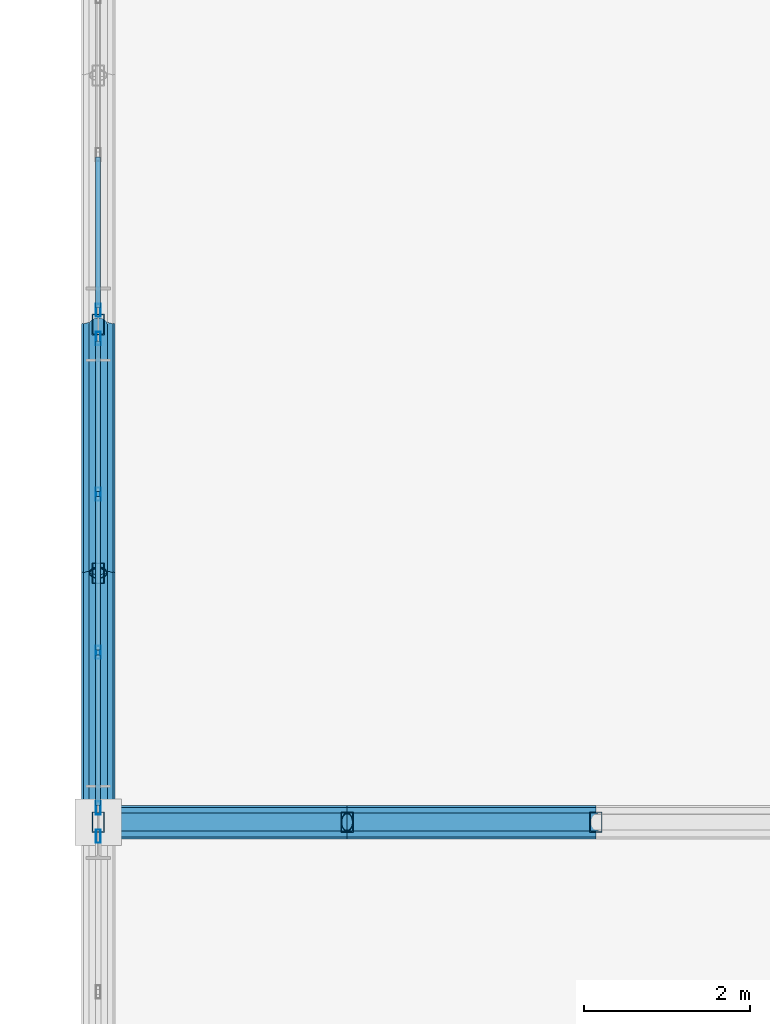
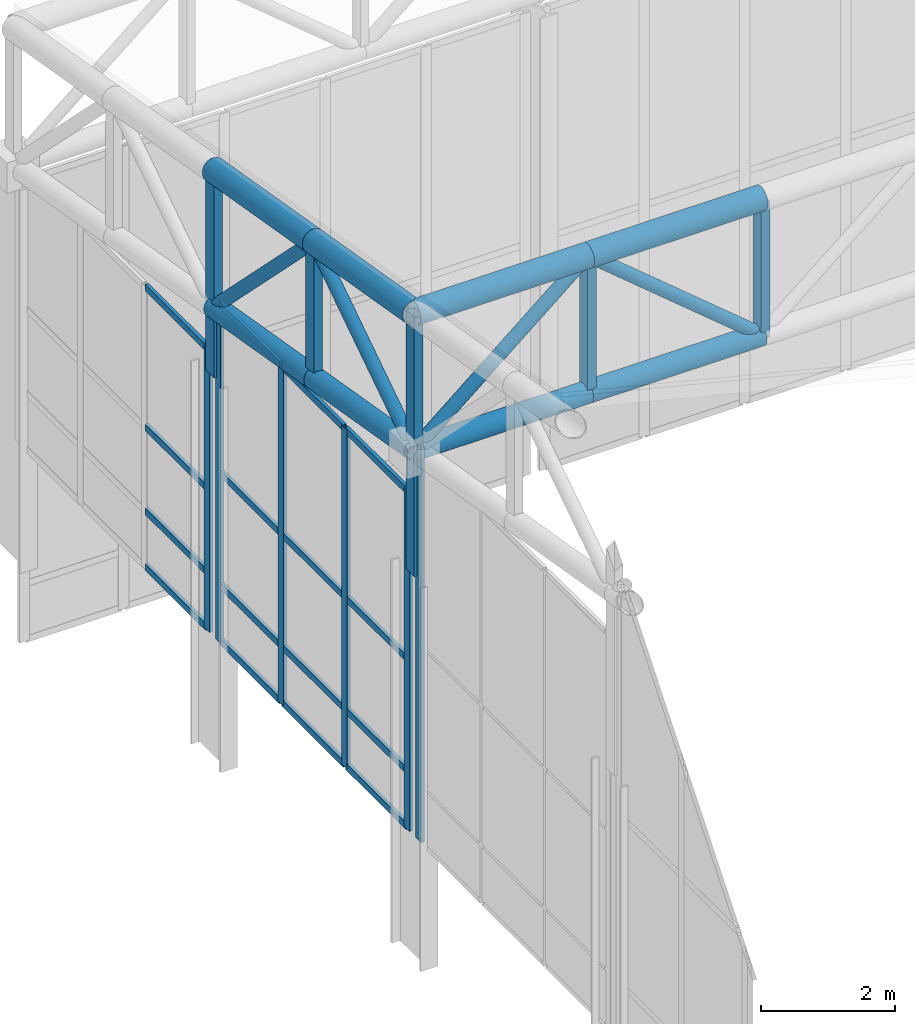
# One storey, part 100 of 239: 39 members, 3 elements without a shape of their own.
"""IFC4 building model written with IfcOpenShell, lengths in metres."""

from ifc_helpers import new_model, si_unit, direction, frame, origin, origin_2d, place, context, subcontext, project, spatial, hollow_rectangle, hollow_circle, extrude, material, material_profile, profile_set, type_object, element, aggregate, save


model = new_model("IFC4")

# Units and contexts
model_context = context("Model", 3, precision=1e-05, world=origin(), true_north=direction((0.0, 1.0)))
body_context = subcontext(model_context, "Body", "Model", "MODEL_VIEW")
ifc_project = project(units=[si_unit("LENGTHUNIT", "METRE"), si_unit("AREAUNIT", "SQUARE_METRE"), si_unit("VOLUMEUNIT", "CUBIC_METRE"), si_unit("PLANEANGLEUNIT", "RADIAN"), si_unit("MASSUNIT", "GRAM", prefix="KILO")], contexts=[model_context])

# Site, building, storey
site_placement = place(None, origin())
site = spatial("IfcSite", under=ifc_project, at=site_placement, CompositionType="ELEMENT")
building_placement = place(site_placement, origin())
building = spatial("IfcBuilding", under=site, at=building_placement, Name="Kaldris Quays Convention Centre", CompositionType="ELEMENT")
storey_placement = place(building_placement, frame((0.0, 0.0, 11.39990234375)))
storey = spatial("IfcBuildingStorey", under=building, at=storey_placement, Name="L02", CompositionType="ELEMENT", Elevation=11.39990234375)

# Curtain wall, member
ifc_material_1 = material(Name="Anodized aluminium AW-6060 and triple glazing", Category="aluminium")
curtain_wall_type = type_object("IfcCurtainWallType", Name="UNITISED CURTAIN WALL CW03", PredefinedType="NOTDEFINED", material=ifc_material_1)
curtain_wall_1_placement = place(storey_placement, origin())
curtain_wall_1 = element("IfcCurtainWall", 1, at=curtain_wall_1_placement, inside=storey, type_object=curtain_wall_type, Name="L02 Unitised Curtain Wall CW03 224", PredefinedType="NOTDEFINED")
ifc_material_2 = material(Name="Anodized aluminium AW-6060", Category="aluminium")
ifc_material_profile_1 = material_profile(ifc_material_2, hollow_rectangle(XDim=0.06005859375, YDim=0.159912109375, WallThickness=0.00390625, at=origin_2d()), Name="RHS 160x60x4")
ifc_profile_set_1 = profile_set([ifc_material_profile_1], Name="Anodized aluminium AW-6060")
member_type_1 = type_object("IfcMemberType", Name="CURTAIN MULLION CWM1", PredefinedType="MULLION", material=ifc_profile_set_1)
member_1_placement = place(storey_placement, frame((20.0, 127.830078125, 2.195068359375), z_axis=(0.0, 0.0, 1.0), x_axis=(-1.0, 0.0, 0.0)))
member_1 = element("IfcMember", 2, at=member_1_placement, type_object=member_type_1, Name="CW03 mullion 4", PredefinedType="MULLION", context=body_context, shape_type="SweptSolid", body=[
    extrude(hollow_rectangle(XDim=0.06005859375, YDim=0.159912109375, WallThickness=0.00390625, at=origin_2d()), origin(), (0.0, 0.0, 1.0), 7.22607421875),
])
aggregate(curtain_wall_1, [member_1])

# Curtain wall, members
curtain_wall_2_placement = place(storey_placement, origin())
curtain_wall_2 = element("IfcCurtainWall", 3, at=curtain_wall_2_placement, inside=storey, type_object=curtain_wall_type, Name="L02 Unitised Curtain Wall CW03 225", PredefinedType="NOTDEFINED")
member_2_placement = place(storey_placement, frame((20.0, 128.169921875, 2.195068359375), z_axis=(0.0, 0.0, 1.0), x_axis=(-1.0, 0.0, 0.0)))
member_2 = element("IfcMember", 4, at=member_2_placement, type_object=member_type_1, Name="CW03 mullion 1", PredefinedType="MULLION", context=body_context, shape_type="SweptSolid", body=[
    extrude(hollow_rectangle(XDim=0.06005859375, YDim=0.159912109375, WallThickness=0.00390625, at=origin_2d()), origin(), (0.0, 0.0, 1.0), 6.197998046875),
])
member_3_placement = place(storey_placement, frame((20.0, 130.046630859375, 2.195068359375), z_axis=(0.0, 0.0, 1.0), x_axis=(-1.0, 0.0, 0.0)))
member_3 = element("IfcMember", 5, at=member_3_placement, type_object=member_type_1, Name="CW03 mullion 2", PredefinedType="MULLION", context=body_context, shape_type="SweptSolid", body=[
    extrude(hollow_rectangle(XDim=0.06005859375, YDim=0.159912109375, WallThickness=0.00390625, at=origin_2d()), origin(), (0.0, 0.0, 1.0), 6.197998046875),
])
member_4_placement = place(storey_placement, frame((20.0, 131.953369140625, 2.195068359375), z_axis=(0.0, 0.0, 1.0), x_axis=(-1.0, 0.0, 0.0)))
member_4 = element("IfcMember", 6, at=member_4_placement, type_object=member_type_1, Name="CW03 mullion 3", PredefinedType="MULLION", context=body_context, shape_type="SweptSolid", body=[
    extrude(hollow_rectangle(XDim=0.06005859375, YDim=0.159912109375, WallThickness=0.00390625, at=origin_2d()), origin(), (0.0, 0.0, 1.0), 6.197998046875),
])
member_5_placement = place(storey_placement, frame((20.0, 133.830078125, 2.195068359375), z_axis=(0.0, 0.0, 1.0), x_axis=(-1.0, 0.0, 0.0)))
member_5 = element("IfcMember", 7, at=member_5_placement, type_object=member_type_1, Name="CW03 mullion 4", PredefinedType="MULLION", context=body_context, shape_type="SweptSolid", body=[
    extrude(hollow_rectangle(XDim=0.06005859375, YDim=0.159912109375, WallThickness=0.00390625, at=origin_2d()), origin(), (0.0, 0.0, 1.0), 6.197998046875),
])

# Curtain wall, member
curtain_wall_3_placement = place(storey_placement, origin())
curtain_wall_3 = element("IfcCurtainWall", 8, at=curtain_wall_3_placement, inside=storey, type_object=curtain_wall_type, Name="L02 Unitised Curtain Wall CW03 226", PredefinedType="NOTDEFINED")
member_6_placement = place(storey_placement, frame((20.0, 134.169921875, 2.195068359375), z_axis=(0.0, 0.0, 1.0), x_axis=(-1.0, 0.0, 0.0)))
member_6 = element("IfcMember", 9, at=member_6_placement, type_object=member_type_1, Name="CW03 mullion 1", PredefinedType="MULLION", context=body_context, shape_type="SweptSolid", body=[
    extrude(hollow_rectangle(XDim=0.06005859375, YDim=0.159912109375, WallThickness=0.00390625, at=origin_2d()), origin(), (0.0, 0.0, 1.0), 5.1689453125),
])

# Member
ifc_material_profile_2 = material_profile(ifc_material_2, hollow_rectangle(XDim=0.06005859375, YDim=0.1201171875, WallThickness=0.00390625, at=origin_2d()), Name="RHS 120x60x4")
ifc_profile_set_2 = profile_set([ifc_material_profile_2], Name="Anodized aluminium AW-6060")
member_type_2 = type_object("IfcMemberType", Name="CURTAIN TRANSOM CWT1", PredefinedType="USERDEFINED", material=ifc_profile_set_2)
member_7_placement = place(storey_placement, frame((20.0, 128.199951171875, 2.22509765625), z_axis=(0.0, 1.0, 0.0), x_axis=(-1.0, 0.0, 0.0)))
member_7 = element("IfcMember", 10, at=member_7_placement, type_object=member_type_2, Name="CW03 transom 1.1", ObjectType="TRANSOM", PredefinedType="USERDEFINED", context=body_context, shape_type="SweptSolid", body=[
    extrude(hollow_rectangle(XDim=0.06005859375, YDim=0.1201171875, WallThickness=0.00390625, at=origin_2d()), origin(), (0.0, 0.0, 1.0), 1.816650390625),
])

member_8_placement = place(storey_placement, frame((20.0, 128.199951171875, 3.2451171875), z_axis=(0.0, 1.0, 0.0), x_axis=(-1.0, 0.0, 0.0)))
member_8 = element("IfcMember", 11, at=member_8_placement, type_object=member_type_2, Name="CW03 transom 1.2", ObjectType="TRANSOM", PredefinedType="USERDEFINED", context=body_context, shape_type="SweptSolid", body=[
    extrude(hollow_rectangle(XDim=0.06005859375, YDim=0.1201171875, WallThickness=0.00390625, at=origin_2d()), origin(), (0.0, 0.0, 1.0), 1.816650390625),
])

member_9_placement = place(storey_placement, frame((20.0, 128.199951171875, 5.294189453125), z_axis=(0.0, 1.0, 0.0), x_axis=(-1.0, 0.0, 0.0)))
member_9 = element("IfcMember", 12, at=member_9_placement, type_object=member_type_2, Name="CW03 transom 1.3", ObjectType="TRANSOM", PredefinedType="USERDEFINED", context=body_context, shape_type="SweptSolid", body=[
    extrude(hollow_rectangle(XDim=0.06005859375, YDim=0.1201171875, WallThickness=0.00390625, at=origin_2d()), origin(), (0.0, 0.0, 1.0), 1.816650390625),
])

member_10_placement = place(storey_placement, frame((20.0, 128.199951171875, 8.363037109375), z_axis=(0.0, 1.0, 0.0), x_axis=(-1.0, 0.0, 0.0)))
member_10 = element("IfcMember", 13, at=member_10_placement, type_object=member_type_2, Name="CW03 transom 1.4", ObjectType="TRANSOM", PredefinedType="USERDEFINED", context=body_context, shape_type="SweptSolid", body=[
    extrude(hollow_rectangle(XDim=0.06005859375, YDim=0.1201171875, WallThickness=0.00390625, at=origin_2d()), origin(), (0.0, 0.0, 1.0), 1.816650390625),
])

member_11_placement = place(storey_placement, frame((20.0, 130.07666015625, 2.22509765625), z_axis=(0.0, 1.0, 0.0), x_axis=(-1.0, 0.0, 0.0)))
member_11 = element("IfcMember", 14, at=member_11_placement, type_object=member_type_2, Name="CW03 transom 2.1", ObjectType="TRANSOM", PredefinedType="USERDEFINED", context=body_context, shape_type="SweptSolid", body=[
    extrude(hollow_rectangle(XDim=0.06005859375, YDim=0.1201171875, WallThickness=0.00390625, at=origin_2d()), origin(), (0.0, 0.0, 1.0), 1.8466796875),
])

member_12_placement = place(storey_placement, frame((20.0, 130.07666015625, 3.2451171875), z_axis=(0.0, 1.0, 0.0), x_axis=(-1.0, 0.0, 0.0)))
member_12 = element("IfcMember", 15, at=member_12_placement, type_object=member_type_2, Name="CW03 transom 2.2", ObjectType="TRANSOM", PredefinedType="USERDEFINED", context=body_context, shape_type="SweptSolid", body=[
    extrude(hollow_rectangle(XDim=0.06005859375, YDim=0.1201171875, WallThickness=0.00390625, at=origin_2d()), origin(), (0.0, 0.0, 1.0), 1.8466796875),
])

member_13_placement = place(storey_placement, frame((20.0, 130.07666015625, 5.294189453125), z_axis=(0.0, 1.0, 0.0), x_axis=(-1.0, 0.0, 0.0)))
member_13 = element("IfcMember", 16, at=member_13_placement, type_object=member_type_2, Name="CW03 transom 2.3", ObjectType="TRANSOM", PredefinedType="USERDEFINED", context=body_context, shape_type="SweptSolid", body=[
    extrude(hollow_rectangle(XDim=0.06005859375, YDim=0.1201171875, WallThickness=0.00390625, at=origin_2d()), origin(), (0.0, 0.0, 1.0), 1.8466796875),
])

member_14_placement = place(storey_placement, frame((20.0, 130.07666015625, 8.363037109375), z_axis=(0.0, 1.0, 0.0), x_axis=(-1.0, 0.0, 0.0)))
member_14 = element("IfcMember", 17, at=member_14_placement, type_object=member_type_2, Name="CW03 transom 2.4", ObjectType="TRANSOM", PredefinedType="USERDEFINED", context=body_context, shape_type="SweptSolid", body=[
    extrude(hollow_rectangle(XDim=0.06005859375, YDim=0.1201171875, WallThickness=0.00390625, at=origin_2d()), origin(), (0.0, 0.0, 1.0), 1.8466796875),
])

member_15_placement = place(storey_placement, frame((20.0, 131.9833984375, 2.22509765625), z_axis=(0.0, 1.0, 0.0), x_axis=(-1.0, 0.0, 0.0)))
member_15 = element("IfcMember", 18, at=member_15_placement, type_object=member_type_2, Name="CW03 transom 3.1", ObjectType="TRANSOM", PredefinedType="USERDEFINED", context=body_context, shape_type="SweptSolid", body=[
    extrude(hollow_rectangle(XDim=0.06005859375, YDim=0.1201171875, WallThickness=0.00390625, at=origin_2d()), origin(), (0.0, 0.0, 1.0), 1.816650390625),
])

member_16_placement = place(storey_placement, frame((20.0, 131.9833984375, 3.2451171875), z_axis=(0.0, 1.0, 0.0), x_axis=(-1.0, 0.0, 0.0)))
member_16 = element("IfcMember", 19, at=member_16_placement, type_object=member_type_2, Name="CW03 transom 3.2", ObjectType="TRANSOM", PredefinedType="USERDEFINED", context=body_context, shape_type="SweptSolid", body=[
    extrude(hollow_rectangle(XDim=0.06005859375, YDim=0.1201171875, WallThickness=0.00390625, at=origin_2d()), origin(), (0.0, 0.0, 1.0), 1.816650390625),
])

member_17_placement = place(storey_placement, frame((20.0, 131.9833984375, 5.294189453125), z_axis=(0.0, 1.0, 0.0), x_axis=(-1.0, 0.0, 0.0)))
member_17 = element("IfcMember", 20, at=member_17_placement, type_object=member_type_2, Name="CW03 transom 3.3", ObjectType="TRANSOM", PredefinedType="USERDEFINED", context=body_context, shape_type="SweptSolid", body=[
    extrude(hollow_rectangle(XDim=0.06005859375, YDim=0.1201171875, WallThickness=0.00390625, at=origin_2d()), origin(), (0.0, 0.0, 1.0), 1.816650390625),
])

member_18_placement = place(storey_placement, frame((20.0, 131.9833984375, 8.363037109375), z_axis=(0.0, 1.0, 0.0), x_axis=(-1.0, 0.0, 0.0)))
member_18 = element("IfcMember", 21, at=member_18_placement, type_object=member_type_2, Name="CW03 transom 3.4", ObjectType="TRANSOM", PredefinedType="USERDEFINED", context=body_context, shape_type="SweptSolid", body=[
    extrude(hollow_rectangle(XDim=0.06005859375, YDim=0.1201171875, WallThickness=0.00390625, at=origin_2d()), origin(), (0.0, 0.0, 1.0), 1.816650390625),
])

aggregate(curtain_wall_2, [member_2, member_3, member_4, member_5, member_7, member_8, member_9, member_10, member_11, member_12, member_13, member_14, member_15, member_16, member_17, member_18])

member_19_placement = place(storey_placement, frame((20.0, 134.199951171875, 2.22509765625), z_axis=(0.0, 1.0, 0.0), x_axis=(-1.0, 0.0, 0.0)))
member_19 = element("IfcMember", 22, at=member_19_placement, type_object=member_type_2, Name="CW03 transom 1.1", ObjectType="TRANSOM", PredefinedType="USERDEFINED", context=body_context, shape_type="SweptSolid", body=[
    extrude(hollow_rectangle(XDim=0.06005859375, YDim=0.1201171875, WallThickness=0.00390625, at=origin_2d()), origin(), (0.0, 0.0, 1.0), 1.816650390625),
])

member_20_placement = place(storey_placement, frame((20.0, 134.199951171875, 3.2451171875), z_axis=(0.0, 1.0, 0.0), x_axis=(-1.0, 0.0, 0.0)))
member_20 = element("IfcMember", 23, at=member_20_placement, type_object=member_type_2, Name="CW03 transom 1.2", ObjectType="TRANSOM", PredefinedType="USERDEFINED", context=body_context, shape_type="SweptSolid", body=[
    extrude(hollow_rectangle(XDim=0.06005859375, YDim=0.1201171875, WallThickness=0.00390625, at=origin_2d()), origin(), (0.0, 0.0, 1.0), 1.816650390625),
])

member_21_placement = place(storey_placement, frame((20.0, 134.199951171875, 4.780029296875), z_axis=(0.0, 1.0, 0.0), x_axis=(-1.0, 0.0, 0.0)))
member_21 = element("IfcMember", 24, at=member_21_placement, type_object=member_type_2, Name="CW03 transom 1.3", ObjectType="TRANSOM", PredefinedType="USERDEFINED", context=body_context, shape_type="SweptSolid", body=[
    extrude(hollow_rectangle(XDim=0.06005859375, YDim=0.1201171875, WallThickness=0.00390625, at=origin_2d()), origin(), (0.0, 0.0, 1.0), 1.816650390625),
])

member_22_placement = place(storey_placement, frame((20.0, 134.199951171875, 7.333984375), z_axis=(0.0, 1.0, 0.0), x_axis=(-1.0, 0.0, 0.0)))
member_22 = element("IfcMember", 25, at=member_22_placement, type_object=member_type_2, Name="CW03 transom 1.4", ObjectType="TRANSOM", PredefinedType="USERDEFINED", context=body_context, shape_type="SweptSolid", body=[
    extrude(hollow_rectangle(XDim=0.06005859375, YDim=0.1201171875, WallThickness=0.00390625, at=origin_2d()), origin(), (0.0, 0.0, 1.0), 1.816650390625),
])

aggregate(curtain_wall_3, [member_6, member_19, member_20, member_21, member_22])

# Members
ifc_material_3 = material(Name="Steel S355J2H", Category="steel")
ifc_material_profile_3 = material_profile(ifc_material_3, hollow_circle(Radius=0.203125, WallThickness=0.01611328125, at=origin_2d()), Name="CHS 406.4x16")
ifc_profile_set_3 = profile_set([ifc_material_profile_3], Name="Steel S355J2H")
member_type_3 = type_object("IfcMemberType", Name="STRUCTURAL MEMBER SC01", PredefinedType="CHORD", material=ifc_profile_set_3)
for number, where, z_axis, x_axis, name in (
    (26, (20.0, 128.0, 11.72900390625), (1.0, 0.0, 0.0), (0.0, 1.0, 0.0), "SF-V1 Top Chord X 253"),
    (27, (23.0, 128.0, 11.72900390625), (1.0, 0.0, 0.0), (0.0, 1.0, 0.0), "SF-V1 Top Chord X 254"),
):
    element("IfcMember", number, at=place(storey_placement, frame(where, z_axis=z_axis, x_axis=x_axis)), inside=storey, type_object=member_type_3, Name=name, PredefinedType="CHORD", context=body_context, shape_type="SweptSolid", body=[
        extrude(hollow_circle(Radius=0.203125, WallThickness=0.01611328125, at=origin_2d()), origin(), (0.0, 0.0, 1.0), 3.0),
    ])
for number, where, z_axis, x_axis, name in (
    (28, (20.0, 128.0, 11.72900390625), (0.0, 0.98562912375, -0.168923741424), (-1.0, 0.0, 0.0), "SF-V1 Top Chord Y 361"),
    (29, (20.0, 131.0, 11.21484375), (0.0, 0.985615766076, -0.169001661712), (-1.0, 0.0, 0.0), "SF-V1 Top Chord Y 362"),
):
    element("IfcMember", number, at=place(storey_placement, frame(where, z_axis=z_axis, x_axis=x_axis)), inside=storey, type_object=member_type_3, Name=name, PredefinedType="CHORD", context=body_context, shape_type="SweptSolid", body=[
        extrude(hollow_circle(Radius=0.203125, WallThickness=0.01611328125, at=origin_2d()), origin(), (0.0, 0.0, 1.0), 3.043701171875),
    ])
ifc_material_profile_4 = material_profile(ifc_material_3, hollow_circle(Radius=0.177734375, WallThickness=0.01611328125, at=origin_2d()), Name="CHS 355.6x16")
ifc_profile_set_4 = profile_set([ifc_material_profile_4], Name="Steel S355J2H")
member_type_4 = type_object("IfcMemberType", Name="STRUCTURAL MEMBER SC02", PredefinedType="CHORD", material=ifc_profile_set_4)
for number, where, z_axis, x_axis, name in (
    (30, (20.0, 128.0, 9.22900390625), (1.0, 0.0, 0.0), (0.0, 1.0, 0.0), "SF-V1 Bottom Chord X 253"),
    (31, (23.0, 128.0, 9.22900390625), (1.0, 0.0, 0.0), (0.0, 1.0, 0.0), "SF-V1 Bottom Chord X 254"),
):
    element("IfcMember", number, at=place(storey_placement, frame(where, z_axis=z_axis, x_axis=x_axis)), inside=storey, type_object=member_type_4, Name=name, PredefinedType="CHORD", context=body_context, shape_type="SweptSolid", body=[
        extrude(hollow_circle(Radius=0.177734375, WallThickness=0.01611328125, at=origin_2d()), origin(), (0.0, 0.0, 1.0), 3.0),
    ])
for number, where, z_axis, x_axis, name in (
    (32, (20.0, 128.0, 9.22900390625), (0.0, 0.98562912375, -0.168923741424), (-1.0, 0.0, 0.0), "SF-V1 Bottom Chord Y 361"),
    (33, (20.0, 131.0, 8.71484375), (0.0, 0.985615766076, -0.169001661712), (-1.0, 0.0, 0.0), "SF-V1 Bottom Chord Y 362"),
):
    element("IfcMember", number, at=place(storey_placement, frame(where, z_axis=z_axis, x_axis=x_axis)), inside=storey, type_object=member_type_4, Name=name, PredefinedType="CHORD", context=body_context, shape_type="SweptSolid", body=[
        extrude(hollow_circle(Radius=0.177734375, WallThickness=0.01611328125, at=origin_2d()), origin(), (0.0, 0.0, 1.0), 3.043701171875),
    ])
ifc_material_profile_5 = material_profile(ifc_material_3, hollow_circle(Radius=0.109619140625, WallThickness=0.010009765625, at=origin_2d()), Name="CHS 219.1x10")
ifc_profile_set_5 = profile_set([ifc_material_profile_5], Name="Steel S355J2H")
member_type_5 = type_object("IfcMemberType", Name="STRUCTURAL MEMBER SWB1", PredefinedType="BRACE", material=ifc_profile_set_5)
for number, where, z_axis, x_axis, name in (
    (34, (20.0, 128.0, 9.22900390625), (0.768221279597, 0.0, 0.640184399664), (0.0, 1.0, 0.0), "SF-V1 Web Diagonal X 253"),
    (35, (26.0, 128.0, 9.22900390625), (-0.768221279597, 0.0, 0.640184399664), (0.0, -1.0, 0.0), "SF-V1 Web Diagonal X 254"),
):
    element("IfcMember", number, at=place(storey_placement, frame(where, z_axis=z_axis, x_axis=x_axis)), inside=storey, type_object=member_type_5, Name=name, PredefinedType="BRACE", context=body_context, shape_type="SweptSolid", body=[
        extrude(hollow_circle(Radius=0.109619140625, WallThickness=0.010009765625, at=origin_2d()), origin(), (0.0, 0.0, 1.0), 3.905029296875),
    ])
member_23_placement = place(storey_placement, frame((20.0, 128.0, 9.22900390625), z_axis=(0.0, 0.833862389808, 0.551972385962), x_axis=(-1.0, 0.0, 0.0)))
element("IfcMember", 36, at=member_23_placement, inside=storey, type_object=member_type_5, Name="SF-V1 Web Diagonal Y 361", PredefinedType="BRACE", context=body_context, shape_type="SweptSolid", body=[
    extrude(hollow_circle(Radius=0.109619140625, WallThickness=0.010009765625, at=origin_2d()), origin(), (0.0, 0.0, 1.0), 3.59765625),
])
member_24_placement = place(storey_placement, frame((20.0, 134.0, 8.200439453125), z_axis=(0.0, -0.705411261057, 0.708798245465), x_axis=(1.0, 0.0, 0.0)))
element("IfcMember", 37, at=member_24_placement, inside=storey, type_object=member_type_5, Name="SF-V1 Web Diagonal Y 362", PredefinedType="BRACE", context=body_context, shape_type="SweptSolid", body=[
    extrude(hollow_circle(Radius=0.109619140625, WallThickness=0.010009765625, at=origin_2d()), origin(), (0.0, 0.0, 1.0), 4.2529296875),
])
ifc_material_profile_6 = material_profile(ifc_material_3, hollow_rectangle(XDim=0.14990234375, YDim=0.25, WallThickness=0.010009765625, at=origin_2d()), Name="RHS 250x150x10")
ifc_profile_set_6 = profile_set([ifc_material_profile_6], Name="Steel S355J2H")
member_type_6 = type_object("IfcMemberType", Name="STRUCTURAL MEMBER TTV1", PredefinedType="POST", material=ifc_profile_set_6)
member_25_placement = place(storey_placement, frame((20.0, 128.0, 6.994140625), z_axis=(0.0, 0.0, 1.0), x_axis=(1.0, 0.0, 0.0)))
element("IfcMember", 38, at=member_25_placement, inside=storey, type_object=member_type_6, Name="SF-V1 Space-Frame Post 25", PredefinedType="POST", context=body_context, shape_type="SweptSolid", body=[
    extrude(hollow_rectangle(XDim=0.14990234375, YDim=0.25, WallThickness=0.010009765625, at=origin_2d()), origin(), (0.0, 0.0, 1.0), 4.73486328125),
])
member_26_placement = place(storey_placement, frame((20.0, 131.0, 8.71484375), z_axis=(0.0, 0.0, 1.0), x_axis=(1.0, 0.0, 0.0)))
element("IfcMember", 39, at=member_26_placement, inside=storey, type_object=member_type_6, Name="SF-V1 Space-Frame Post 26", PredefinedType="POST", context=body_context, shape_type="SweptSolid", body=[
    extrude(hollow_rectangle(XDim=0.14990234375, YDim=0.25, WallThickness=0.010009765625, at=origin_2d()), origin(), (0.0, 0.0, 1.0), 2.5),
])
member_27_placement = place(storey_placement, frame((20.0, 134.0, 6.994140625), z_axis=(0.0, 0.0, 1.0), x_axis=(1.0, 0.0, 0.0)))
element("IfcMember", 40, at=member_27_placement, inside=storey, type_object=member_type_6, Name="SF-V1 Space-Frame Post 27", PredefinedType="POST", context=body_context, shape_type="SweptSolid", body=[
    extrude(hollow_rectangle(XDim=0.14990234375, YDim=0.25, WallThickness=0.010009765625, at=origin_2d()), origin(), (0.0, 0.0, 1.0), 3.706298828125),
])
for number, where, z_axis, x_axis, name in (
    (41, (23.0, 128.0, 9.22900390625), (0.0, 0.0, 1.0), (1.0, 0.0, 0.0), "SF-V1 Space-Frame Post 36"),
    (42, (26.0, 128.0, 9.22900390625), (0.0, 0.0, 1.0), (1.0, 0.0, 0.0), "SF-V1 Space-Frame Post 44"),
):
    element("IfcMember", number, at=place(storey_placement, frame(where, z_axis=z_axis, x_axis=x_axis)), inside=storey, type_object=member_type_6, Name=name, PredefinedType="POST", context=body_context, shape_type="SweptSolid", body=[
        extrude(hollow_rectangle(XDim=0.14990234375, YDim=0.25, WallThickness=0.010009765625, at=origin_2d()), origin(), (0.0, 0.0, 1.0), 2.5),
    ])

save(model, "model.ifc")
